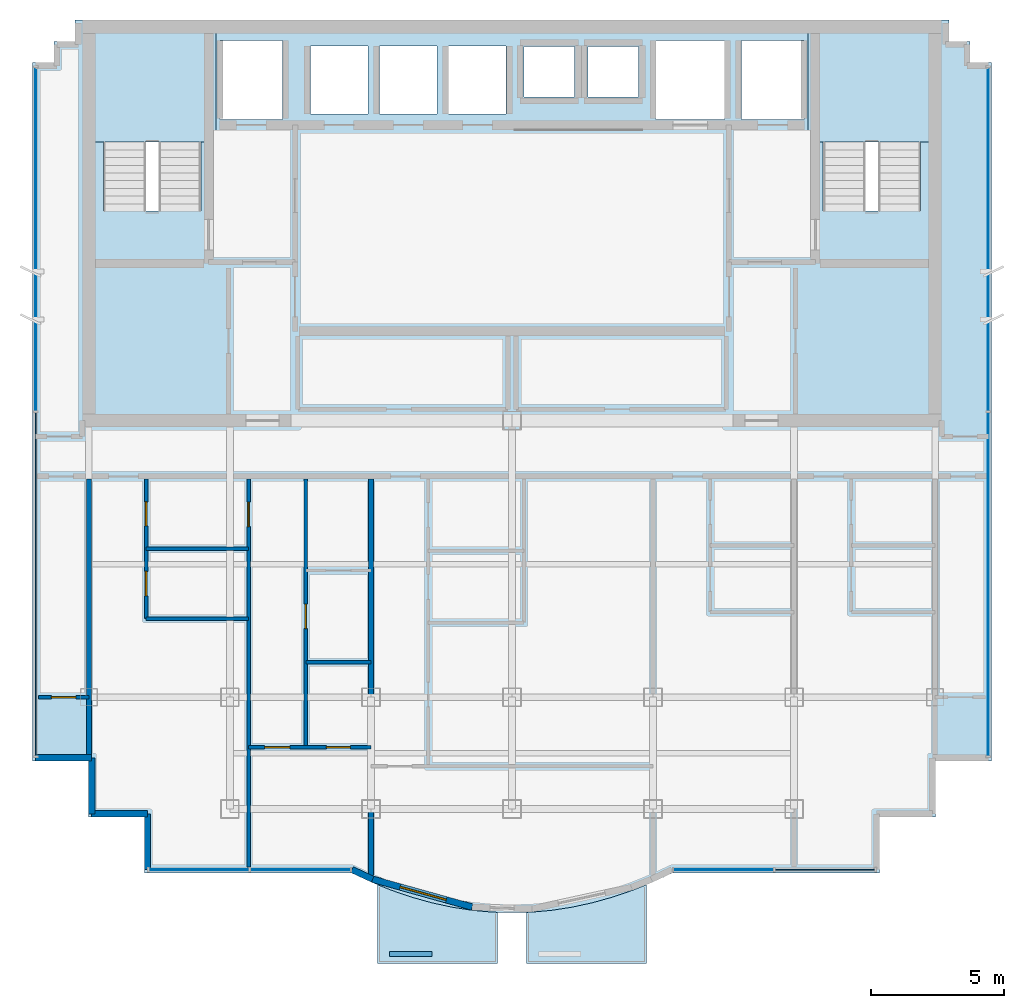
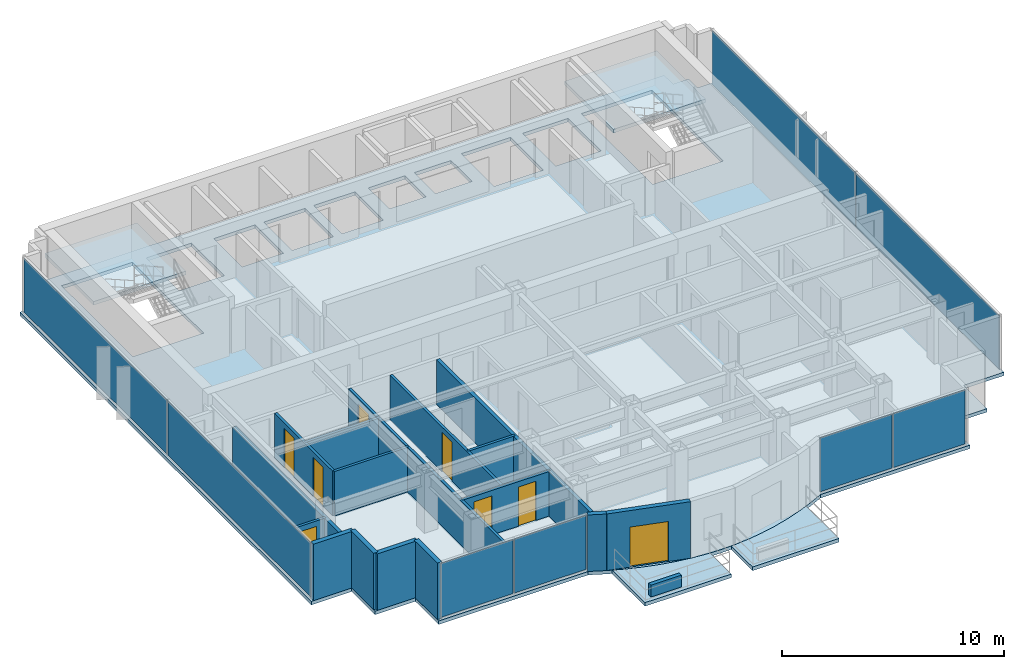
# One storey, part 5 of 10: 17 walls, 8 doors, 8 plates, 5 slabs, 8 openings, 6 elements without a shape of their own.
"""IFC4 building model written with IfcOpenShell, lengths in metres."""

from ifc_helpers import new_model, si_unit, direction, frame, frame_2d, origin, origin_2d, place, context, subcontext, project, spatial, polyline, rectangle, outline, extrude, source, transform, mapped, material, layer, layer_set, type_object, element, fill, aggregate, save


model = new_model("IFC4")

# Units and contexts
model_context = context("Model", 3, precision=1e-05, world=origin(), true_north=direction((0.0, 1.0)))
body_context = subcontext(model_context, "Body", "Model", "MODEL_VIEW")
ifc_project = project(units=[si_unit("LENGTHUNIT", "METRE"), si_unit("AREAUNIT", "SQUARE_METRE"), si_unit("VOLUMEUNIT", "CUBIC_METRE"), si_unit("PLANEANGLEUNIT", "RADIAN"), si_unit("MASSUNIT", "GRAM", prefix="KILO")], contexts=[model_context])

# Site, building, storey
site_placement = place(None, origin())
site = spatial("IfcSite", under=ifc_project, at=site_placement, CompositionType="ELEMENT")
building_placement = place(site_placement, origin())
building = spatial("IfcBuilding", under=site, at=building_placement, Name="Qianlan Lanfeng Residences", CompositionType="ELEMENT")
storey_placement = place(building_placement, frame((0.0, 0.0, 239.60009765625)))
storey = spatial("IfcBuildingStorey", under=building, at=storey_placement, Name="L66", CompositionType="ELEMENT", Elevation=239.60009765625)

# Slabs
ifc_material_1 = material(Name="Concrete C42", Category="concrete")
ifc_layer_1 = layer(ifc_material_1, 0.199951171875)
ifc_layer_set_1 = layer_set([ifc_layer_1], Name="Concrete C42")
slab_type_1 = type_object("IfcSlabType", Name="S-BAL-200", PredefinedType="FLOOR", material=ifc_layer_set_1)
slab_1_placement = place(storey_placement, frame((0.0, 0.0, -0.2001953125)))
element("IfcSlab", 1, at=slab_1_placement, inside=storey, type_object=slab_type_1, Name="L66 Planted Tree Balcony Slab SB-W", PredefinedType="FLOOR", context=body_context, shape_type="SweptSolid", body=[
    extrude(outline(polyline([(25.949951171875, 6.717041015625), (25.7451171875, 6.722900390625), (24.989990234375, 6.7939453125), (24.235107421875, 6.910888671875), (23.47998046875, 7.074951171875), (22.72509765625, 7.285888671875), (21.969970703125, 7.5439453125), (21.449951171875, 7.7529296875), (21.449951171875, 4.800048828125), (25.949951171875, 4.800048828125), (25.949951171875, 6.717041015625)])), origin(), (0.0, 0.0, 1.0), 0.2001953125),
])
slab_2_placement = place(storey_placement, frame((0.0, 0.0, -0.2001953125)))
element("IfcSlab", 2, at=slab_2_placement, inside=storey, type_object=slab_type_1, Name="L66 Planted Tree Balcony Slab SB-E", PredefinedType="FLOOR", context=body_context, shape_type="SweptSolid", body=[
    extrude(outline(polyline([(31.550048828125, 7.7529296875), (31.030029296875, 7.5439453125), (30.27490234375, 7.285888671875), (29.52001953125, 7.074951171875), (28.764892578125, 6.910888671875), (28.010009765625, 6.7939453125), (27.2548828125, 6.722900390625), (27.050048828125, 6.717041015625), (27.050048828125, 4.800048828125), (31.550048828125, 4.800048828125), (31.550048828125, 7.7529296875)])), origin(), (0.0, 0.0, 1.0), 0.2001953125),
])
ifc_layer_2 = layer(ifc_material_1, 0.18994140625)
ifc_layer_set_2 = layer_set([ifc_layer_2], Name="Concrete C42")
slab_type_2 = type_object("IfcSlabType", Name="S-FL-190", PredefinedType="FLOOR", material=ifc_layer_set_2)
slab_3_placement = place(storey_placement, frame((0.0, 0.0, -0.190185546875)))
element("IfcSlab", 3, at=slab_3_placement, inside=storey, type_object=slab_type_2, Name="L66 Structural Floor Slab", PredefinedType="FLOOR", context=body_context, shape_type="SweptSolid", body=[
    extrude(outline(polyline([(8.47998046875, 12.39990234375), (10.580078125, 12.39990234375), (10.580078125, 10.300048828125), (12.679931640625, 10.300048828125), (12.679931640625, 8.199951171875), (20.4599609375, 8.199951171875), (21.215087890625, 7.847900390625), (21.969970703125, 7.5439453125), (22.72509765625, 7.285888671875), (23.47998046875, 7.074951171875), (24.235107421875, 6.910888671875), (24.989990234375, 6.7939453125), (25.7451171875, 6.722900390625), (26.5, 6.699951171875), (27.2548828125, 6.722900390625), (28.010009765625, 6.7939453125), (28.764892578125, 6.910888671875), (29.52001953125, 7.074951171875), (30.27490234375, 7.285888671875), (31.030029296875, 7.5439453125), (31.784912109375, 7.847900390625), (32.5400390625, 8.199951171875), (40.320068359375, 8.199951171875), (40.320068359375, 10.300048828125), (42.419921875, 10.300048828125), (42.419921875, 12.39990234375), (44.52001953125, 12.39990234375), (44.52001953125, 38.64990234375), (43.719970703125, 38.64990234375), (43.719970703125, 39.449951171875), (42.919921875, 39.449951171875), (42.919921875, 40.25), (10.080078125, 40.25), (10.080078125, 39.449951171875), (9.280029296875, 39.449951171875), (9.280029296875, 38.64990234375), (8.47998046875, 38.64990234375), (8.47998046875, 12.39990234375)]), holes=[polyline([(11.139892578125, 33.080078125), (11.139892578125, 39.5), (14.820068359375, 39.5), (14.820068359375, 33.080078125), (11.139892578125, 33.080078125)]), polyline([(38.179931640625, 33.080078125), (38.179931640625, 39.5), (41.860107421875, 39.5), (41.860107421875, 33.080078125), (38.179931640625, 33.080078125)]), polyline([(15.52001953125, 36.52001953125), (15.52001953125, 39.47998046875), (17.8798828125, 39.47998046875), (17.8798828125, 36.52001953125), (15.52001953125, 36.52001953125)]), polyline([(35.1201171875, 36.52001953125), (35.1201171875, 39.47998046875), (37.47998046875, 39.47998046875), (37.47998046875, 36.52001953125), (35.1201171875, 36.52001953125)]), polyline([(31.919921875, 36.52001953125), (31.919921875, 39.47998046875), (34.47998046875, 39.47998046875), (34.47998046875, 36.52001953125), (31.919921875, 36.52001953125)]), polyline([(18.919921875, 36.719970703125), (18.919921875, 39.280029296875), (21.080078125, 39.280029296875), (21.080078125, 36.719970703125), (18.919921875, 36.719970703125)]), polyline([(21.52001953125, 36.719970703125), (21.52001953125, 39.280029296875), (23.679931640625, 39.280029296875), (23.679931640625, 36.719970703125), (21.52001953125, 36.719970703125)]), polyline([(24.1201171875, 36.719970703125), (24.1201171875, 39.280029296875), (26.280029296875, 39.280029296875), (26.280029296875, 36.719970703125), (24.1201171875, 36.719970703125)]), polyline([(26.949951171875, 37.35009765625), (26.949951171875, 39.25), (28.85009765625, 39.25), (28.85009765625, 37.35009765625), (26.949951171875, 37.35009765625)]), polyline([(29.35009765625, 37.35009765625), (29.35009765625, 39.25), (31.25, 39.25), (31.25, 37.35009765625), (29.35009765625, 37.35009765625)])]), origin(), (0.0, 0.0, 1.0), 0.190185546875),
])

# Stair, slab
stair_type = type_object("IfcStairType", Name="STR-MAIN", PredefinedType="HALF_TURN_STAIR", material=ifc_material_1)
stair_1_placement = place(storey_placement, origin())
stair_1 = element("IfcStair", 4, at=stair_1_placement, inside=storey, type_object=stair_type, Name="L66 Exit Stair ST-1", PredefinedType="HALF_TURN_STAIR")
ifc_layer_3 = layer(ifc_material_1, 0.179931640625)
ifc_layer_set_3 = layer_set([ifc_layer_3], Name="Concrete C42")
slab_type_3 = type_object("IfcSlabType", Name="S-LND-180", PredefinedType="LANDING", material=ifc_layer_set_3)
slab_4_placement = place(storey_placement, frame((0.0, 0.0, 1.449951171875)))
slab_4 = element("IfcSlab", 5, at=slab_4_placement, type_object=slab_type_3, Name="ST-1 landing 1", PredefinedType="LANDING", context=body_context, shape_type="SweptSolid", body=[
    extrude(outline(polyline([(10.580078125, 35.659912109375), (15.3798828125, 35.659912109375), (15.3798828125, 40.050048828125), (10.580078125, 40.050048828125), (10.580078125, 35.659912109375)])), origin(), (0.0, 0.0, 1.0), 0.199951171875),
])
aggregate(stair_1, [slab_4])

stair_2_placement = place(storey_placement, origin())
stair_2 = element("IfcStair", 6, at=stair_2_placement, inside=storey, type_object=stair_type, Name="L66 Exit Stair ST-2", PredefinedType="HALF_TURN_STAIR")
slab_5_placement = place(storey_placement, frame((0.0, 0.0, 1.449951171875)))
slab_5 = element("IfcSlab", 7, at=slab_5_placement, type_object=slab_type_3, Name="ST-2 landing 1", PredefinedType="LANDING", context=body_context, shape_type="SweptSolid", body=[
    extrude(outline(polyline([(37.6201171875, 35.659912109375), (42.419921875, 35.659912109375), (42.419921875, 40.050048828125), (37.6201171875, 40.050048828125), (37.6201171875, 35.659912109375)])), origin(), (0.0, 0.0, 1.0), 0.199951171875),
])
aggregate(stair_2, [slab_5])

# Curtain wall, plates
ifc_material_2 = material(Name="Anodised Bronze Aluminium 6063-T6", Category="aluminium")
ifc_layer_4 = layer(ifc_material_2, 0.219970703125)
ifc_layer_set_4 = layer_set([ifc_layer_4], Name="Anodised Bronze Aluminium 6063-T6")
curtain_wall_type = type_object("IfcCurtainWallType", Name="CW-06", PredefinedType="NOTDEFINED", material=ifc_layer_set_4)
curtain_wall_1_placement = place(storey_placement, origin())
curtain_wall_1 = element("IfcCurtainWall", 8, at=curtain_wall_1_placement, inside=storey, type_object=curtain_wall_type, Name="L66 Unitised Curtain Wall CWR-L66-01 (CW-06)", PredefinedType="NOTDEFINED")
ifc_material_3 = material(Name="Clear Low-E Insulated Glass", Category="glass")
ifc_layer_5 = layer(ifc_material_3, 0.035888671875)
ifc_layer_set_5 = layer_set([ifc_layer_5], Name="Clear Low-E Insulated Glass")
plate_type_1 = type_object("IfcPlateType", Name="PNL-GLZ-CLR", PredefinedType="CURTAIN_PANEL", material=ifc_layer_set_5)
shared_shape_1 = source(origin(), body_context, "Body", "SweptSolid", [
    extrude(rectangle(XDim=3.73291015625, YDim=0.035888671875, at=origin_2d()), origin(), (0.0, 0.0, 1.0), 2.9619140625),
])
plate_1_placement = place(storey_placement, frame((14.740478515625, 8.320068359375, 0.073974609375), z_axis=(0.0, 0.0, 1.0), x_axis=(1.0, 0.0, 0.0)))
plate_1 = element("IfcPlate", 9, at=plate_1_placement, type_object=plate_type_1, Name="CWR-L66-01 Curtain Panel 1", PredefinedType="CURTAIN_PANEL", context=body_context, shape_type="MappedRepresentation", body=[
    mapped(shared_shape_1, transform((0.0, 0.0, 0.0), scale=1.0)),
])
plate_2_placement = place(storey_placement, frame((18.54638671875, 8.320068359375, 0.073974609375), z_axis=(0.0, 0.0, 1.0), x_axis=(1.0, 0.0, 0.0)))
plate_2 = element("IfcPlate", 10, at=plate_2_placement, type_object=plate_type_1, Name="CWR-L66-01 Curtain Panel 2", PredefinedType="CURTAIN_PANEL", context=body_context, shape_type="MappedRepresentation", body=[
    mapped(shared_shape_1, transform((0.0, 0.0, 0.0), scale=1.0)),
])
aggregate(curtain_wall_1, [plate_1, plate_2])

curtain_wall_2_placement = place(storey_placement, origin())
curtain_wall_2 = element("IfcCurtainWall", 11, at=curtain_wall_2_placement, inside=storey, type_object=curtain_wall_type, Name="L66 Unitised Curtain Wall CWR-L66-02 (CW-06)", PredefinedType="NOTDEFINED")
plate_3_placement = place(storey_placement, frame((34.45361328125, 8.320068359375, 0.073974609375), z_axis=(0.0, 0.0, 1.0), x_axis=(1.0, 0.0, 0.0)))
plate_3 = element("IfcPlate", 12, at=plate_3_placement, type_object=plate_type_1, Name="CWR-L66-02 Curtain Panel 1", PredefinedType="CURTAIN_PANEL", context=body_context, shape_type="MappedRepresentation", body=[
    mapped(shared_shape_1, transform((0.0, 0.0, 0.0), scale=1.0)),
])
ifc_material_4 = material(Name="Perforated Champagne Gold Aluminium Panel", Category="aluminium")
ifc_layer_6 = layer(ifc_material_4, 0.0400390625)
ifc_layer_set_6 = layer_set([ifc_layer_6], Name="Perforated Champagne Gold Aluminium Panel")
plate_type_2 = type_object("IfcPlateType", Name="PNL-PRF-GLD", PredefinedType="CURTAIN_PANEL", material=ifc_layer_set_6)
shared_shape_2 = source(origin(), body_context, "Body", "SweptSolid", [
    extrude(rectangle(XDim=3.73291015625, YDim=0.0400390625, at=origin_2d()), origin(), (0.0, 0.0, 1.0), 2.9619140625),
])
plate_4_placement = place(storey_placement, frame((38.259521484375, 8.320068359375, 0.073974609375), z_axis=(0.0, 0.0, 1.0), x_axis=(1.0, 0.0, 0.0)))
plate_4 = element("IfcPlate", 13, at=plate_4_placement, type_object=plate_type_2, Name="CWR-L66-02 Curtain Panel 2", PredefinedType="CURTAIN_PANEL", context=body_context, shape_type="MappedRepresentation", body=[
    mapped(shared_shape_2, transform((0.0, 0.0, 0.0), scale=1.0)),
])
aggregate(curtain_wall_2, [plate_3, plate_4])

curtain_wall_3_placement = place(storey_placement, origin())
curtain_wall_3 = element("IfcCurtainWall", 14, at=curtain_wall_3_placement, inside=storey, type_object=curtain_wall_type, Name="L66 Unitised Curtain Wall CWR-L66-03 (CW-06)", PredefinedType="NOTDEFINED")
shared_shape_3 = source(origin(), body_context, "Body", "SweptSolid", [
    extrude(rectangle(XDim=12.89453125, YDim=0.035888671875, at=origin_2d()), origin(), (0.0, 0.0, 1.0), 2.9619140625),
])
plate_5_placement = place(storey_placement, frame((44.39990234375, 19.041259765625, 0.073974609375), z_axis=(0.0, 0.0, 1.0), x_axis=(0.0, 1.0, 0.0)))
plate_5 = element("IfcPlate", 15, at=plate_5_placement, type_object=plate_type_1, Name="CWR-L66-03 Curtain Panel 1", PredefinedType="CURTAIN_PANEL", context=body_context, shape_type="MappedRepresentation", body=[
    mapped(shared_shape_3, transform((0.0, 0.0, 0.0), scale=1.0)),
])
plate_6_placement = place(storey_placement, frame((44.39990234375, 32.0087890625, 0.073974609375), z_axis=(0.0, 0.0, 1.0), x_axis=(0.0, 1.0, 0.0)))
plate_6 = element("IfcPlate", 16, at=plate_6_placement, type_object=plate_type_1, Name="CWR-L66-03 Curtain Panel 2", PredefinedType="CURTAIN_PANEL", context=body_context, shape_type="MappedRepresentation", body=[
    mapped(shared_shape_3, transform((0.0, 0.0, 0.0), scale=1.0)),
])
aggregate(curtain_wall_3, [plate_5, plate_6])

curtain_wall_4_placement = place(storey_placement, origin())
curtain_wall_4 = element("IfcCurtainWall", 17, at=curtain_wall_4_placement, inside=storey, type_object=curtain_wall_type, Name="L66 Unitised Curtain Wall CWR-L66-04 (CW-06)", PredefinedType="NOTDEFINED")
plate_7_placement = place(storey_placement, frame((8.60009765625, 32.0087890625, 0.073974609375), z_axis=(0.0, 0.0, 1.0), x_axis=(0.0, -1.0, 0.0)))
plate_7 = element("IfcPlate", 18, at=plate_7_placement, type_object=plate_type_1, Name="CWR-L66-04 Curtain Panel 1", PredefinedType="CURTAIN_PANEL", context=body_context, shape_type="MappedRepresentation", body=[
    mapped(shared_shape_3, transform((0.0, 0.0, 0.0), scale=1.0)),
])
shared_shape_4 = source(origin(), body_context, "Body", "SweptSolid", [
    extrude(rectangle(XDim=12.89453125, YDim=0.0400390625, at=origin_2d()), origin(), (0.0, 0.0, 1.0), 2.9619140625),
])
plate_8_placement = place(storey_placement, frame((8.60009765625, 19.041259765625, 0.073974609375), z_axis=(0.0, 0.0, 1.0), x_axis=(0.0, -1.0, 0.0)))
plate_8 = element("IfcPlate", 19, at=plate_8_placement, type_object=plate_type_2, Name="CWR-L66-04 Curtain Panel 2", PredefinedType="CURTAIN_PANEL", context=body_context, shape_type="MappedRepresentation", body=[
    mapped(shared_shape_4, transform((0.0, 0.0, 0.0), scale=1.0)),
])
aggregate(curtain_wall_4, [plate_7, plate_8])

# Walls
ifc_layer_7 = layer(ifc_material_1, 0.239990234375)
ifc_layer_set_7 = layer_set([ifc_layer_7], Name="Concrete C42")
wall_type_1 = type_object("IfcWallType", Name="EW-240", PredefinedType="SOLIDWALL", material=ifc_layer_set_7)
wall_1_placement = place(storey_placement, frame((8.60009765625, 12.52001953125, 0.0), z_axis=(0.0, 0.0, 1.0), x_axis=(1.0, 0.0, 0.0)))
element("IfcWall", 20, at=wall_1_placement, inside=storey, type_object=wall_type_1, Name="L66 Exterior Facade Spandrel Wall 1", PredefinedType="SOLIDWALL", context=body_context, shape_type="SweptSolid", body=[
    extrude(rectangle(XDim=2.099853515625, YDim=0.239990234375, at=frame_2d((1.0498046875, 0.0))), origin(), (0.0, 0.0, 1.0), 3.10986328125),
])
for number, where, z_axis, x_axis, name in (
    (21, (10.699951171875, 12.52001953125, 0.0), (0.0, 0.0, 1.0), (0.0, -1.0, 0.0), "L66 Exterior Facade Spandrel Wall 2"),
    (22, (10.699951171875, 10.419921875, 0.0), (0.0, 0.0, 1.0), (1.0, 0.0, 0.0), "L66 Exterior Facade Spandrel Wall 3"),
):
    element("IfcWall", number, at=place(storey_placement, frame(where, z_axis=z_axis, x_axis=x_axis)), inside=storey, type_object=wall_type_1, Name=name, PredefinedType="SOLIDWALL", context=body_context, shape_type="SweptSolid", body=[
        extrude(rectangle(XDim=2.10009765625, YDim=0.239990234375, at=frame_2d((1.050048828125, 0.0))), origin(), (0.0, 0.0, 1.0), 3.10986328125),
    ])
wall_2_placement = place(storey_placement, frame((12.800048828125, 10.419921875, 0.0), z_axis=(0.0, 0.0, 1.0), x_axis=(0.0, -1.0, 0.0)))
element("IfcWall", 23, at=wall_2_placement, inside=storey, type_object=wall_type_1, Name="L66 Exterior Facade Spandrel Wall 4", PredefinedType="SOLIDWALL", context=body_context, shape_type="SweptSolid", body=[
    extrude(rectangle(XDim=2.099853515625, YDim=0.239990234375, at=frame_2d((1.0498046875, 0.0))), origin(), (0.0, 0.0, 1.0), 3.10986328125),
])
wall_3_placement = place(storey_placement, frame((20.487060546875, 8.320068359375, 0.0), z_axis=(0.0, 0.0, 1.0), x_axis=(0.906190424584, -0.422869855147, 0.0)))
element("IfcWall", 24, at=wall_3_placement, inside=storey, type_object=wall_type_1, Name="L66 Exterior Facade Spandrel Wall 5", PredefinedType="SOLIDWALL", context=body_context, shape_type="SweptSolid", body=[
    extrude(rectangle(XDim=0.856201171875, YDim=0.239990234375, at=frame_2d((0.42822265625, 0.0))), origin(), (0.0, 0.0, 1.0), 3.10986328125),
])

# Wall, opening, door
wall_4_placement = place(storey_placement, frame((21.262939453125, 7.9580078125, 0.0), z_axis=(0.0, 0.0, 1.0), x_axis=(0.963152398068, -0.268956238255, 0.0)))
wall_4 = element("IfcWall", 25, at=wall_4_placement, inside=storey, type_object=wall_type_1, Name="L66 Terrace/Balcony Access Exterior Wall 6", PredefinedType="SOLIDWALL", context=body_context, shape_type="SweptSolid", body=[
    extrude(rectangle(XDim=3.885009765625, YDim=0.239990234375, at=frame_2d((1.9423828125, 0.0))), origin(), (0.0, 0.0, 1.0), 3.10986328125),
])
opening_1_placement = place(wall_4_placement, frame((1.073974609375, 0.0, 0.0)))
opening_1 = element("IfcOpeningElement", 26, at=opening_1_placement, cuts=wall_4, Name="Opening L66-D-SB-W", PredefinedType="OPENING", context=body_context, shape_type="SweptSolid", body=[
    extrude(rectangle(XDim=1.800048828125, YDim=2.199951171875, at=frame_2d((0.89990234375, 1.10009765625))), frame((0.0, 0.1298828125, 0.0), z_axis=(0.0, -1.0, 0.0), x_axis=(1.0, 0.0, 0.0)), (0.0, 0.0, 1.0), 0.260009765625),
])
ifc_material_5 = material(Name="Anodised Bronze Aluminium Framed Glass", Category="aluminium")
door_type_1 = type_object("IfcDoorType", Name="DT-BAL1", OperationType="NOTDEFINED", PredefinedType="DOOR", material=ifc_material_5)
door_1_placement = place(opening_1_placement, frame((1.800048828125, 0.0, 0.0), z_axis=(0.0, 0.0, 1.0), x_axis=(-1.0, 0.0, 0.0)))
door_1 = element("IfcDoor", 27, at=door_1_placement, inside=storey, type_object=door_type_1, Name="L66 Exterior Access Door SB-W", OperationType="DOUBLE_DOOR_SLIDING", OverallHeight=2.199951171875, OverallWidth=1.800048828125, PredefinedType="DOOR", context=body_context, shape_type="SweptSolid", body=[
    extrude(rectangle(XDim=1.800048828125, YDim=2.199951171875, at=frame_2d((0.89990234375, 1.10009765625))), frame((0.0, 0.02490234375, 0.0), z_axis=(0.0, -1.0, 0.0), x_axis=(1.0, 0.0, 0.0)), (0.0, 0.0, 1.0), 0.050048828125),
])
fill(opening_1, door_1)

# Wall
ifc_layer_8 = layer(ifc_material_1, 0.199951171875)
ifc_layer_set_8 = layer_set([ifc_layer_8], Name="Concrete C42")
wall_type_2 = type_object("IfcWallType", Name="PL-TREE-200", PredefinedType="PARAPET", material=ifc_layer_set_8)
wall_5_placement = place(storey_placement, frame((21.89990234375, 5.14990234375, 0.0), z_axis=(0.0, 0.0, 1.0), x_axis=(1.0, 0.0, 0.0)))
element("IfcWall", 28, at=wall_5_placement, inside=storey, type_object=wall_type_2, Name="L66 Balcony Tree Planter Curb SB-W", PredefinedType="PARAPET", context=body_context, shape_type="SweptSolid", body=[
    extrude(rectangle(XDim=1.60009765625, YDim=0.199951171875, at=frame_2d((0.800048828125, 0.0))), origin(), (0.0, 0.0, 1.0), 0.64990234375),
])

# Wall, opening, door
ifc_material_6 = material(Name="Moisture-Resistant Gypsum Partition 135 mm")
ifc_layer_9 = layer(ifc_material_6, 0.135009765625)
ifc_layer_set_9 = layer_set([ifc_layer_9], Name="Moisture-Resistant Gypsum Partition 135 mm")
wall_type_3 = type_object("IfcWallType", Name="PW-135", PredefinedType="PARTITIONING", material=ifc_layer_set_9)
wall_6_placement = place(storey_placement, frame((16.60009765625, 8.419921875, 0.0), z_axis=(0.0, 0.0, 1.0), x_axis=(0.0, 1.0, 0.0)))
wall_6 = element("IfcWall", 29, at=wall_6_placement, inside=storey, type_object=wall_type_3, Name="L66 U01 Bay Spine Wall 1", PredefinedType="PARTITIONING", context=body_context, shape_type="SweptSolid", body=[
    extrude(rectangle(XDim=14.580078125, YDim=0.135009765625, at=frame_2d((7.2900390625, 0.0))), origin(), (0.0, 0.0, 1.0), 2.449951171875),
])
opening_2_placement = place(wall_6_placement, frame((12.794921875, 0.0, 0.0)))
opening_2 = element("IfcOpeningElement", 30, at=opening_2_placement, cuts=wall_6, Name="Opening L66-D16", PredefinedType="OPENING", context=body_context, shape_type="SweptSolid", body=[
    extrude(rectangle(XDim=0.919921875, YDim=2.14990234375, at=frame_2d((0.4599609375, 1.074951171875))), frame((0.0, 0.07763671875, 0.0), z_axis=(0.0, -1.0, 0.0), x_axis=(1.0, 0.0, 0.0)), (0.0, 0.0, 1.0), 0.155029296875),
])
ifc_material_7 = material(Name="Glazed Timber Kitchen/Study Door", Category="wood")
door_type_2 = type_object("IfcDoorType", Name="DT-INT", OperationType="NOTDEFINED", PredefinedType="DOOR", material=ifc_material_7)
door_2_placement = place(opening_2_placement, origin())
door_2 = element("IfcDoor", 31, at=door_2_placement, inside=storey, type_object=door_type_2, Name="L66 U01 Internal Hall Door L66-D16 (DT-INT)", OperationType="SINGLE_SWING_LEFT", OverallHeight=2.14990234375, OverallWidth=0.919921875, PredefinedType="DOOR", context=body_context, shape_type="SweptSolid", body=[
    extrude(rectangle(XDim=0.919921875, YDim=2.14990234375, at=frame_2d((0.4599609375, 1.074951171875))), frame((0.0, 0.02490234375, 0.0), z_axis=(0.0, -1.0, 0.0), x_axis=(1.0, 0.0, 0.0)), (0.0, 0.0, 1.0), 0.050048828125),
])
fill(opening_2, door_2)

# Wall, openings, doors
wall_7_placement = place(storey_placement, frame((12.75, 17.7529296875, 0.0), z_axis=(0.0, 0.0, 1.0), x_axis=(0.0, 1.0, 0.0)))
wall_7 = element("IfcWall", 32, at=wall_7_placement, inside=storey, type_object=wall_type_3, Name="L66 U01 Wet Stack Spine", PredefinedType="PARTITIONING", context=body_context, shape_type="SweptSolid", body=[
    extrude(rectangle(XDim=5.2470703125, YDim=0.135009765625, at=frame_2d((2.62353515625, 0.0))), origin(), (0.0, 0.0, 1.0), 2.449951171875),
])
opening_3_placement = place(wall_7_placement, frame((0.85205078125, 0.0, 0.0)))
opening_3 = element("IfcOpeningElement", 33, at=opening_3_placement, cuts=wall_7, Name="Opening L66-D17", PredefinedType="OPENING", context=body_context, shape_type="SweptSolid", body=[
    extrude(rectangle(XDim=0.919921875, YDim=2.14990234375, at=frame_2d((0.4599609375, 1.074951171875))), frame((0.0, 0.07763671875, 0.0), z_axis=(0.0, -1.0, 0.0), x_axis=(1.0, 0.0, 0.0)), (0.0, 0.0, 1.0), 0.155029296875),
])
opening_4_placement = place(wall_7_placement, frame((3.486083984375, 0.0, 0.0)))
opening_4 = element("IfcOpeningElement", 34, at=opening_4_placement, cuts=wall_7, Name="Opening L66-D18", PredefinedType="OPENING", context=body_context, shape_type="SweptSolid", body=[
    extrude(rectangle(XDim=0.89990234375, YDim=2.14990234375, at=frame_2d((0.449951171875, 1.074951171875))), frame((0.0, 0.07763671875, 0.0), z_axis=(0.0, -1.0, 0.0), x_axis=(1.0, 0.0, 0.0)), (0.0, 0.0, 1.0), 0.155029296875),
])
door_3_placement = place(opening_3_placement, origin())
door_3 = element("IfcDoor", 35, at=door_3_placement, inside=storey, type_object=door_type_2, Name="L66 U01 Kitchen Door L66-D17 (DT-INT)", OperationType="SINGLE_SWING_RIGHT", OverallHeight=2.14990234375, OverallWidth=0.919921875, PredefinedType="DOOR", context=body_context, shape_type="SweptSolid", body=[
    extrude(rectangle(XDim=0.919921875, YDim=2.14990234375, at=frame_2d((0.4599609375, 1.074951171875))), frame((0.0, 0.02490234375, 0.0), z_axis=(0.0, -1.0, 0.0), x_axis=(1.0, 0.0, 0.0)), (0.0, 0.0, 1.0), 0.050048828125),
])
fill(opening_3, door_3)
ifc_material_8 = material(Name="Moisture-Resistant Timber Leaf", Category="wood")
door_type_3 = type_object("IfcDoorType", Name="DT-WC", OperationType="NOTDEFINED", PredefinedType="DOOR", material=ifc_material_8)
door_4_placement = place(opening_4_placement, origin())
door_4 = element("IfcDoor", 36, at=door_4_placement, inside=storey, type_object=door_type_3, Name="L66 U01 Bathroom Door L66-D18 (DT-WC)", OperationType="SINGLE_SWING_LEFT", OverallHeight=2.14990234375, OverallWidth=0.89990234375, PredefinedType="DOOR", context=body_context, shape_type="SweptSolid", body=[
    extrude(rectangle(XDim=0.89990234375, YDim=2.14990234375, at=frame_2d((0.449951171875, 1.074951171875))), frame((0.0, 0.02490234375, 0.0), z_axis=(0.0, -1.0, 0.0), x_axis=(1.0, 0.0, 0.0)), (0.0, 0.0, 1.0), 0.050048828125),
])
fill(opening_4, door_4)

# Walls
for number, where, z_axis, x_axis, name in (
    (37, (12.75, 17.7529296875, 0.0), (0.0, 0.0, 1.0), (1.0, 0.0, 0.0), "L66 U01 Kitchen South Wall"),
    (38, (12.75, 20.376953125, 0.0), (0.0, 0.0, 1.0), (1.0, 0.0, 0.0), "L66 U01 Bathroom South Wall"),
):
    element("IfcWall", number, at=place(storey_placement, frame(where, z_axis=z_axis, x_axis=x_axis)), inside=storey, type_object=wall_type_3, Name=name, PredefinedType="PARTITIONING", context=body_context, shape_type="SweptSolid", body=[
        extrude(rectangle(XDim=3.85009765625, YDim=0.135009765625, at=frame_2d((1.925048828125, 0.0))), origin(), (0.0, 0.0, 1.0), 2.449951171875),
    ])

# Wall, openings, doors
wall_8_placement = place(storey_placement, frame((16.60009765625, 12.919921875, 0.0), z_axis=(0.0, 0.0, 1.0), x_axis=(1.0, 0.0, 0.0)))
wall_8 = element("IfcWall", 39, at=wall_8_placement, inside=storey, type_object=wall_type_3, Name="L66 U01 Master Bedroom North Wall", PredefinedType="PARTITIONING", context=body_context, shape_type="SweptSolid", body=[
    extrude(rectangle(XDim=4.599853515625, YDim=0.135009765625, at=frame_2d((2.2998046875, 0.0))), origin(), (0.0, 0.0, 1.0), 2.449951171875),
])
opening_5_placement = place(wall_8_placement, frame((0.60009765625, 0.0, 0.0)))
opening_5 = element("IfcOpeningElement", 40, at=opening_5_placement, cuts=wall_8, Name="Opening L66-D19", PredefinedType="OPENING", context=body_context, shape_type="SweptSolid", body=[
    extrude(rectangle(XDim=0.949951171875, YDim=2.14990234375, at=frame_2d((0.47509765625, 1.074951171875))), frame((0.0, 0.07763671875, 0.0), z_axis=(0.0, -1.0, 0.0), x_axis=(1.0, 0.0, 0.0)), (0.0, 0.0, 1.0), 0.155029296875),
])
opening_6_placement = place(wall_8_placement, frame((2.925048828125, 0.0, 0.0)))
opening_6 = element("IfcOpeningElement", 41, at=opening_6_placement, cuts=wall_8, Name="Opening L66-D20", PredefinedType="OPENING", context=body_context, shape_type="SweptSolid", body=[
    extrude(rectangle(XDim=0.89990234375, YDim=2.14990234375, at=frame_2d((0.449951171875, 1.074951171875))), frame((0.0, 0.07763671875, 0.0), z_axis=(0.0, -1.0, 0.0), x_axis=(1.0, 0.0, 0.0)), (0.0, 0.0, 1.0), 0.155029296875),
])
ifc_material_9 = material(Name="Painted Solid-Core Timber Leaf", Category="wood")
door_type_4 = type_object("IfcDoorType", Name="DT-BED", OperationType="NOTDEFINED", PredefinedType="DOOR", material=ifc_material_9)
door_5_placement = place(opening_5_placement, frame((0.949951171875, 0.0, 0.0), z_axis=(0.0, 0.0, 1.0), x_axis=(-1.0, 0.0, 0.0)))
door_5 = element("IfcDoor", 42, at=door_5_placement, inside=storey, type_object=door_type_4, Name="L66 U01 Master Bedroom Door L66-D19 (DT-BED)", OperationType="SINGLE_SWING_RIGHT", OverallHeight=2.14990234375, OverallWidth=0.949951171875, PredefinedType="DOOR", context=body_context, shape_type="SweptSolid", body=[
    extrude(rectangle(XDim=0.949951171875, YDim=2.14990234375, at=frame_2d((0.47509765625, 1.074951171875))), frame((0.0, 0.02490234375, 0.0), z_axis=(0.0, -1.0, 0.0), x_axis=(1.0, 0.0, 0.0)), (0.0, 0.0, 1.0), 0.050048828125),
])
fill(opening_5, door_5)
door_6_placement = place(opening_6_placement, frame((0.89990234375, 0.0, 0.0), z_axis=(0.0, 0.0, 1.0), x_axis=(-1.0, 0.0, 0.0)))
door_6 = element("IfcDoor", 43, at=door_6_placement, inside=storey, type_object=door_type_3, Name="L66 U01 En-Suite Bathroom Door L66-D20 (DT-WC)", OperationType="SINGLE_SWING_RIGHT", OverallHeight=2.14990234375, OverallWidth=0.89990234375, PredefinedType="DOOR", context=body_context, shape_type="SweptSolid", body=[
    extrude(rectangle(XDim=0.89990234375, YDim=2.14990234375, at=frame_2d((0.449951171875, 1.074951171875))), frame((0.0, 0.02490234375, 0.0), z_axis=(0.0, -1.0, 0.0), x_axis=(1.0, 0.0, 0.0)), (0.0, 0.0, 1.0), 0.050048828125),
])
fill(opening_6, door_6)

# Wall, opening, door
wall_9_placement = place(storey_placement, frame((18.75, 12.919921875, 0.0), z_axis=(0.0, 0.0, 1.0), x_axis=(0.0, 1.0, 0.0)))
wall_9 = element("IfcWall", 44, at=wall_9_placement, inside=storey, type_object=wall_type_3, Name="L66 U01 Master Passage Wall", PredefinedType="PARTITIONING", context=body_context, shape_type="SweptSolid", body=[
    extrude(rectangle(XDim=10.080078125, YDim=0.135009765625, at=frame_2d((5.0400390625, 0.0))), origin(), (0.0, 0.0, 1.0), 2.449951171875),
])
opening_7_placement = place(wall_9_placement, frame((4.4599609375, 0.0, 0.0)))
opening_7 = element("IfcOpeningElement", 45, at=opening_7_placement, cuts=wall_9, Name="Opening L66-D21", PredefinedType="OPENING", context=body_context, shape_type="SweptSolid", body=[
    extrude(rectangle(XDim=0.919921875, YDim=2.14990234375, at=frame_2d((0.4599609375, 1.074951171875))), frame((0.0, 0.07763671875, 0.0), z_axis=(0.0, -1.0, 0.0), x_axis=(1.0, 0.0, 0.0)), (0.0, 0.0, 1.0), 0.155029296875),
])
door_7_placement = place(opening_7_placement, origin())
door_7 = element("IfcDoor", 46, at=door_7_placement, inside=storey, type_object=door_type_2, Name="L66 U01 Wardrobe Door L66-D21 (DT-INT)", OperationType="SINGLE_SWING_RIGHT", OverallHeight=2.14990234375, OverallWidth=0.919921875, PredefinedType="DOOR", context=body_context, shape_type="SweptSolid", body=[
    extrude(rectangle(XDim=0.919921875, YDim=2.14990234375, at=frame_2d((0.4599609375, 1.074951171875))), frame((0.0, 0.02490234375, 0.0), z_axis=(0.0, -1.0, 0.0), x_axis=(1.0, 0.0, 0.0)), (0.0, 0.0, 1.0), 0.050048828125),
])
fill(opening_7, door_7)

# Wall
wall_10_placement = place(storey_placement, frame((18.75, 16.1201171875, 0.0), z_axis=(0.0, 0.0, 1.0), x_axis=(1.0, 0.0, 0.0)))
element("IfcWall", 47, at=wall_10_placement, inside=storey, type_object=wall_type_3, Name="L66 U01 En-Suite North Wall", PredefinedType="PARTITIONING", context=body_context, shape_type="SweptSolid", body=[
    extrude(rectangle(XDim=2.449951171875, YDim=0.135009765625, at=frame_2d((1.22509765625, 0.0))), origin(), (0.0, 0.0, 1.0), 2.449951171875),
])

# Wall, opening, door
wall_11_placement = place(storey_placement, frame((8.699951171875, 14.800048828125, 0.0), z_axis=(0.0, 0.0, 1.0), x_axis=(1.0, 0.0, 0.0)))
wall_11 = element("IfcWall", 48, at=wall_11_placement, inside=storey, type_object=wall_type_3, Name="L66 SWP Mid Partition", PredefinedType="PARTITIONING", context=body_context, shape_type="SweptSolid", body=[
    extrude(rectangle(XDim=1.900146484375, YDim=0.135009765625, at=frame_2d((0.9501953125, 0.0))), origin(), (0.0, 0.0, 1.0), 2.449951171875),
])
opening_8_placement = place(wall_11_placement, frame((0.489990234375, 0.0, 0.0)))
opening_8 = element("IfcOpeningElement", 49, at=opening_8_placement, cuts=wall_11, Name="Opening L66-D34", PredefinedType="OPENING", context=body_context, shape_type="SweptSolid", body=[
    extrude(rectangle(XDim=0.919921875, YDim=2.14990234375, at=frame_2d((0.4599609375, 1.074951171875))), frame((0.0, 0.07763671875, 0.0), z_axis=(0.0, -1.0, 0.0), x_axis=(1.0, 0.0, 0.0)), (0.0, 0.0, 1.0), 0.155029296875),
])
door_8_placement = place(opening_8_placement, origin())
door_8 = element("IfcDoor", 50, at=door_8_placement, inside=storey, type_object=door_type_2, Name="L66 SWP Inner Door L66-D34 (DT-INT)", OperationType="SINGLE_SWING_LEFT", OverallHeight=2.14990234375, OverallWidth=0.919921875, PredefinedType="DOOR", context=body_context, shape_type="SweptSolid", body=[
    extrude(rectangle(XDim=0.919921875, YDim=2.14990234375, at=frame_2d((0.4599609375, 1.074951171875))), frame((0.0, 0.02490234375, 0.0), z_axis=(0.0, -1.0, 0.0), x_axis=(1.0, 0.0, 0.0)), (0.0, 0.0, 1.0), 0.050048828125),
])
fill(opening_8, door_8)

# Walls
ifc_material_10 = material(Name="Double-Layer Acoustic Gypsum Stud Wall 180 mm")
ifc_layer_10 = layer(ifc_material_10, 0.179931640625)
ifc_layer_set_10 = layer_set([ifc_layer_10], Name="Double-Layer Acoustic Gypsum Stud Wall 180 mm")
wall_type_4 = type_object("IfcWallType", Name="PW-180", PredefinedType="PARTITIONING", material=ifc_layer_set_10)
wall_12_placement = place(storey_placement, frame((10.60009765625, 12.6201171875, 0.0), z_axis=(0.0, 0.0, 1.0), x_axis=(0.0, 1.0, 0.0)))
element("IfcWall", 51, at=wall_12_placement, inside=storey, type_object=wall_type_4, Name="L66 Wing Boundary Party Wall W0", PredefinedType="PARTITIONING", context=body_context, shape_type="SweptSolid", body=[
    extrude(rectangle(XDim=10.3798828125, YDim=0.179931640625, at=frame_2d((5.18994140625, 0.0))), origin(), (0.0, 0.0, 1.0), 2.449951171875),
])
wall_13_placement = place(storey_placement, frame((21.199951171875, 8.097900390625, 0.0), z_axis=(0.0, 0.0, 1.0), x_axis=(0.0, 1.0, 0.0)))
element("IfcWall", 52, at=wall_13_placement, inside=storey, type_object=wall_type_4, Name="L66 Inter-Tenancy Party Wall 2", PredefinedType="PARTITIONING", context=body_context, shape_type="SweptSolid", body=[
    extrude(rectangle(XDim=14.902099609375, YDim=0.179931640625, at=frame_2d((7.451171875, 0.0))), origin(), (0.0, 0.0, 1.0), 2.449951171875),
])

save(model, "model.ifc")
